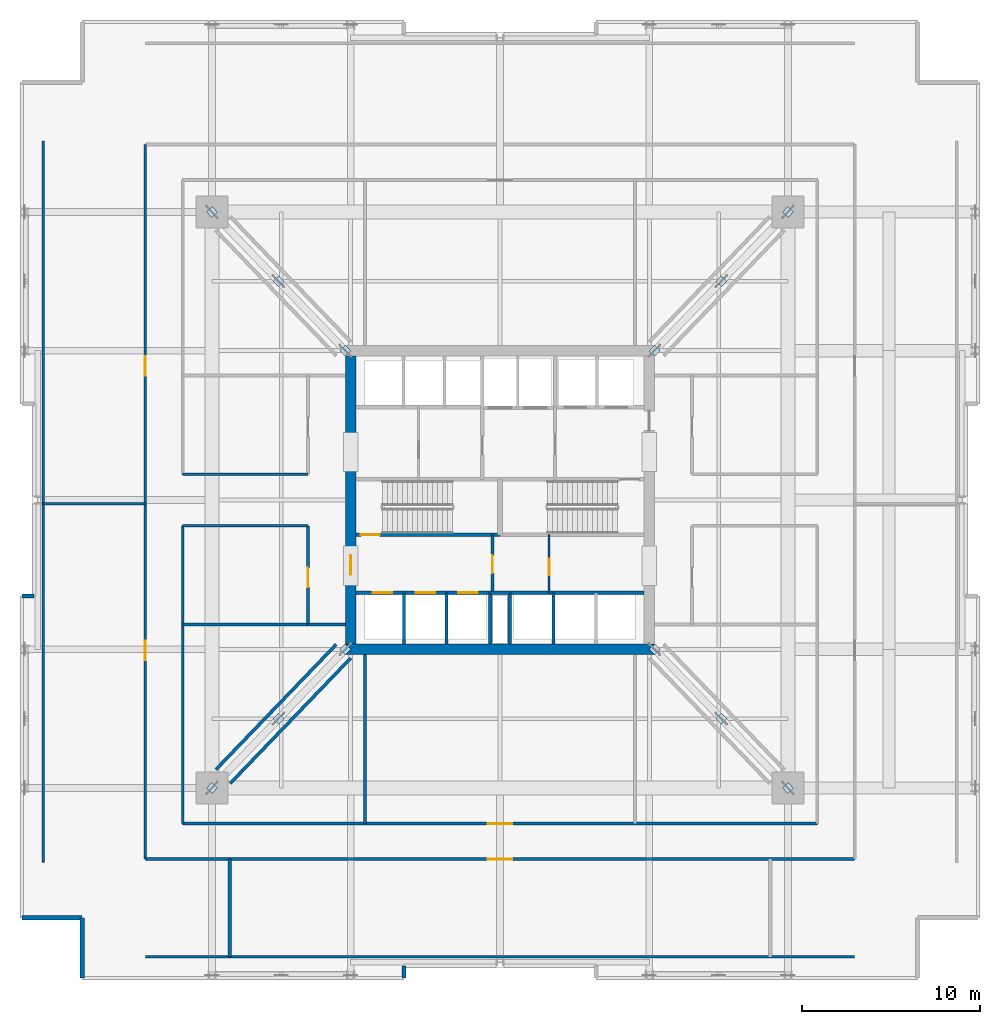
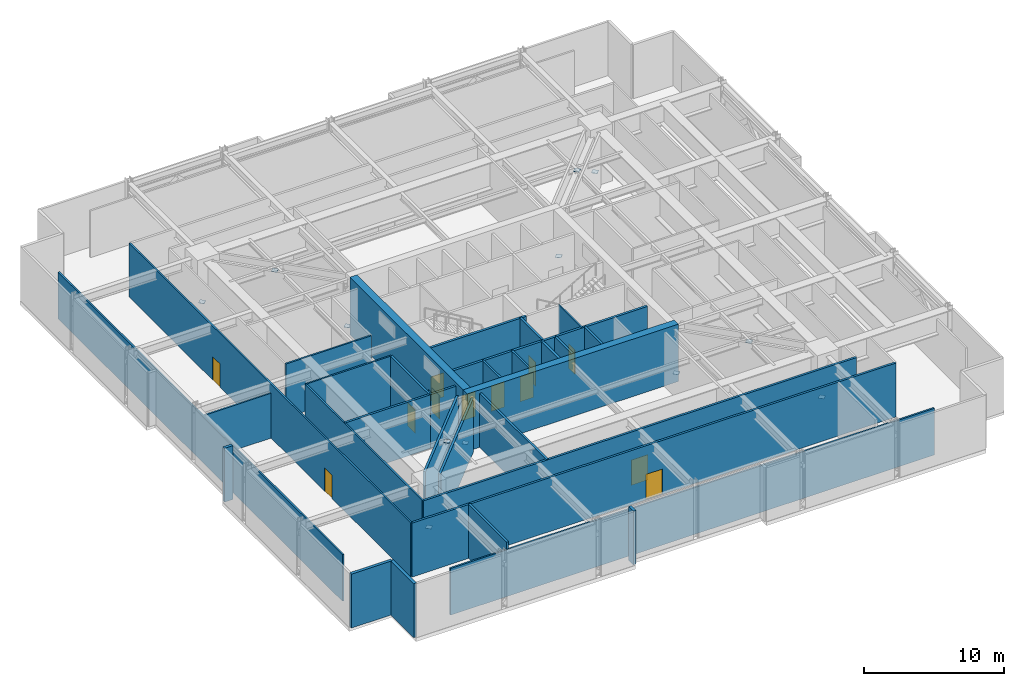
# One storey, part 7 of 13: 33 walls, 12 doors, 12 plates, 12 openings.
"""IFC4 building model written with IfcOpenShell, lengths in metres."""

from ifc_helpers import new_model, si_unit, direction, frame, frame_2d, origin, origin_2d, place, context, subcontext, project, spatial, rectangle, extrude, material, layer, layer_set, type_object, element, fill, save


model = new_model("IFC4")

# Units and contexts
model_context = context("Model", 3, precision=1e-05, world=origin(), true_north=direction((0.0, 1.0)))
body_context = subcontext(model_context, "Body", "Model", "MODEL_VIEW")
ifc_project = project(units=[si_unit("LENGTHUNIT", "METRE"), si_unit("AREAUNIT", "SQUARE_METRE"), si_unit("VOLUMEUNIT", "CUBIC_METRE"), si_unit("PLANEANGLEUNIT", "RADIAN"), si_unit("MASSUNIT", "GRAM", prefix="KILO")], contexts=[model_context])

# Site, building, storey
site_placement = place(None, origin())
site = spatial("IfcSite", under=ifc_project, at=site_placement, CompositionType="ELEMENT")
building_placement = place(site_placement, origin())
building = spatial("IfcBuilding", under=site, at=building_placement, Name="Drelvath Grand Hotel", CompositionType="ELEMENT")
storey_placement = place(building_placement, frame((0.0, 0.0, 82.199951171875)))
storey = spatial("IfcBuildingStorey", under=building, at=storey_placement, Name="L20", CompositionType="ELEMENT", Elevation=82.199951171875)

# Plates
ifc_material_1 = material(Name="Steel ASTM A572 Gr 50", Category="steel")
ifc_layer_1 = layer(ifc_material_1, 0.02490234375)
ifc_layer_set_1 = layer_set([ifc_layer_1], Name="Steel ASTM A572 Gr 50")
plate_type = type_object("IfcPlateType", Name="Hollow Section End Cap Plate 25mm", PredefinedType="SHEET", material=ifc_layer_set_1)
for number, where, z_axis, x_axis, name in (
    (1, (-8.699951171875, 18.60009765625, 0.5576171875), (0.0, 0.0, 1.0), (-0.693108716253, -0.720833064901, 0.0), "L20 Outrigger Hollow End Cap SW-1"),
    (2, (-12.449951171875, 14.699951171875, 4.357666015625), (0.0, 0.0, 1.0), (-0.693108716253, -0.720833064901, 0.0), "L20 Outrigger Hollow End Cap SW-2"),
    (3, (-16.199951171875, 10.800048828125, 0.5576171875), (0.0, 0.0, 1.0), (-0.693108716253, -0.720833064901, 0.0), "L20 Outrigger Hollow End Cap SW-3"),
    (4, (8.699951171875, 18.60009765625, 0.5576171875), (0.0, 0.0, 1.0), (0.693108716253, -0.720833064901, 0.0), "L20 Outrigger Hollow End Cap SE-1"),
    (5, (12.449951171875, 14.699951171875, 4.357666015625), (0.0, 0.0, 1.0), (0.693108716253, -0.720833064901, 0.0), "L20 Outrigger Hollow End Cap SE-2"),
    (6, (16.199951171875, 10.800048828125, 0.5576171875), (0.0, 0.0, 1.0), (0.693108716253, -0.720833064901, 0.0), "L20 Outrigger Hollow End Cap SE-3"),
    (7, (-8.699951171875, 35.39990234375, 0.5576171875), (0.0, 0.0, 1.0), (-0.693108716253, 0.720833064901, 0.0), "L20 Outrigger Hollow End Cap NW-1"),
    (8, (-12.449951171875, 39.300048828125, 4.357666015625), (0.0, 0.0, 1.0), (-0.693108716253, 0.720833064901, 0.0), "L20 Outrigger Hollow End Cap NW-2"),
    (9, (-16.199951171875, 43.199951171875, 0.5576171875), (0.0, 0.0, 1.0), (-0.693108716253, 0.720833064901, 0.0), "L20 Outrigger Hollow End Cap NW-3"),
    (10, (8.699951171875, 35.39990234375, 0.5576171875), (0.0, 0.0, 1.0), (0.693108716253, 0.720833064901, 0.0), "L20 Outrigger Hollow End Cap NE-1"),
    (11, (12.449951171875, 39.300048828125, 4.357666015625), (0.0, 0.0, 1.0), (0.693108716253, 0.720833064901, 0.0), "L20 Outrigger Hollow End Cap NE-2"),
    (12, (16.199951171875, 43.199951171875, 0.5576171875), (0.0, 0.0, 1.0), (0.693108716253, 0.720833064901, 0.0), "L20 Outrigger Hollow End Cap NE-3"),
):
    element("IfcPlate", number, at=place(storey_placement, frame(where, z_axis=z_axis, x_axis=x_axis)), inside=storey, type_object=plate_type, Name=name, PredefinedType="SHEET", context=body_context, shape_type="SweptSolid", body=[
        extrude(rectangle(XDim=0.43994140625, YDim=0.43994140625, at=origin_2d()), origin(), (0.0, 0.0, 1.0), 0.02490234375),
    ])

# Wall, opening, door
ifc_material_2 = material(Name="Gypsum Partition Board")
ifc_layer_2 = layer(ifc_material_2, 0.10009765625)
ifc_layer_set_2 = layer_set([ifc_layer_2], Name="Gypsum Partition Board")
wall_type_1 = type_object("IfcWallType", Name="Core Closet Partition 100", PredefinedType="PARTITIONING", material=ifc_layer_set_2)
wall_1_placement = place(storey_placement, frame((2.760009765625, 21.780029296875, 0.0), z_axis=(0.0, 0.0, 1.0), x_axis=(0.0, 1.0, 0.0)))
wall_1 = element("IfcWall", 13, at=wall_1_placement, inside=storey, type_object=wall_type_1, Name="L20 Butler Pantry Wall", PredefinedType="PARTITIONING", context=body_context, shape_type="SweptSolid", body=[
    extrude(rectangle(XDim=3.260009765625, YDim=0.10009765625, at=frame_2d((1.6298828125, 0.0))), origin(), (0.0, 0.0, 1.0), 4.699951171875),
])
opening_1_placement = place(wall_1_placement, frame((1.0, 0.0, 0.0)))
opening_1 = element("IfcOpeningElement", 14, at=opening_1_placement, cuts=wall_1, Name="Opening D-L20-016", PredefinedType="OPENING", context=body_context, shape_type="SweptSolid", body=[
    extrude(rectangle(XDim=0.919921875, YDim=2.10009765625, at=frame_2d((0.4599609375, 1.050048828125))), frame((0.0, 0.06005859375, 0.0), z_axis=(0.0, -1.0, 0.0), x_axis=(1.0, 0.0, 0.0)), (0.0, 0.0, 1.0), 0.1201171875),
])
ifc_material_3 = material(Name="Painted Steel S275", Category="steel")
door_type_1 = type_object("IfcDoorType", Name="Staff Utility Door 920x2100", OperationType="NOTDEFINED", PredefinedType="DOOR", material=ifc_material_3)
door_1_placement = place(opening_1_placement, origin())
door_1 = element("IfcDoor", 15, at=door_1_placement, inside=storey, type_object=door_type_1, Name="L20 Butler Pantry Door", OperationType="SINGLE_SWING_LEFT", OverallHeight=2.10009765625, OverallWidth=0.919921875, PredefinedType="DOOR", context=body_context, shape_type="SweptSolid", body=[
    extrude(rectangle(XDim=0.919921875, YDim=2.10009765625, at=frame_2d((0.4599609375, 1.050048828125))), frame((0.0, 0.02490234375, 0.0), z_axis=(0.0, -1.0, 0.0), x_axis=(1.0, 0.0, 0.0)), (0.0, 0.0, 1.0), 0.050048828125),
])
fill(opening_1, door_1)

# Wall, openings, doors
ifc_material_4 = material(Name="Concrete C40/50", Category="concrete")
ifc_layer_3 = layer(ifc_material_4, 0.199951171875)
ifc_layer_set_3 = layer_set([ifc_layer_3], Name="Concrete C40/50")
wall_type_2 = type_object("IfcWallType", Name="Core Hoistway Fire Wall 200", PredefinedType="SOLIDWALL", material=ifc_layer_set_3)
wall_2_placement = place(storey_placement, frame((-0.550048828125, 21.780029296875, 0.0), z_axis=(0.0, 0.0, 1.0), x_axis=(-1.0, 0.0, 0.0)))
wall_2 = element("IfcWall", 16, at=wall_2_placement, inside=storey, type_object=wall_type_2, Name="L20 Bank 1 Hoistway Wall", PredefinedType="SOLIDWALL", context=body_context, shape_type="SweptSolid", body=[
    extrude(rectangle(XDim=7.550048828125, YDim=0.199951171875, at=frame_2d((3.77490234375, 0.0))), origin(), (0.0, 0.0, 1.0), 4.699951171875),
])
opening_2_placement = place(wall_2_placement, frame((5.5, 0.0, 0.0)))
opening_2 = element("IfcOpeningElement", 17, at=opening_2_placement, cuts=wall_2, Name="Opening LD-PE-1", PredefinedType="OPENING", context=body_context, shape_type="SweptSolid", body=[
    extrude(rectangle(XDim=1.10009765625, YDim=2.199951171875, at=frame_2d((0.550048828125, 1.10009765625))), frame((0.0, 0.10986328125, 0.0), z_axis=(0.0, -1.0, 0.0), x_axis=(1.0, 0.0, 0.0)), (0.0, 0.0, 1.0), 0.219970703125),
])
opening_3_placement = place(wall_2_placement, frame((3.10009765625, 0.0, 0.0)))
opening_3 = element("IfcOpeningElement", 18, at=opening_3_placement, cuts=wall_2, Name="Opening LD-PE-2", PredefinedType="OPENING", context=body_context, shape_type="SweptSolid", body=[
    extrude(rectangle(XDim=1.10009765625, YDim=2.199951171875, at=frame_2d((0.550048828125, 1.10009765625))), frame((0.0, 0.10986328125, 0.0), z_axis=(0.0, -1.0, 0.0), x_axis=(1.0, 0.0, 0.0)), (0.0, 0.0, 1.0), 0.219970703125),
])
opening_4_placement = place(wall_2_placement, frame((0.699951171875, 0.0, 0.0)))
opening_4 = element("IfcOpeningElement", 19, at=opening_4_placement, cuts=wall_2, Name="Opening LD-PE-3", PredefinedType="OPENING", context=body_context, shape_type="SweptSolid", body=[
    extrude(rectangle(XDim=1.10009765625, YDim=2.199951171875, at=frame_2d((0.550048828125, 1.10009765625))), frame((0.0, 0.10986328125, 0.0), z_axis=(0.0, -1.0, 0.0), x_axis=(1.0, 0.0, 0.0)), (0.0, 0.0, 1.0), 0.219970703125),
])
ifc_material_5 = material(Name="Stainless Steel S355", Category="steel")
door_type_2 = type_object("IfcDoorType", Name="Passenger Lift Sliding Landing Door 1100x2200", OperationType="NOTDEFINED", PredefinedType="DOOR", material=ifc_material_5)
door_2_placement = place(opening_2_placement, origin())
door_2 = element("IfcDoor", 20, at=door_2_placement, inside=storey, type_object=door_type_2, Name="L20 Lift PE-1 Landing Door", OperationType="SLIDING_TO_LEFT", OverallHeight=2.199951171875, OverallWidth=1.10009765625, PredefinedType="DOOR", context=body_context, shape_type="SweptSolid", body=[
    extrude(rectangle(XDim=1.10009765625, YDim=2.199951171875, at=frame_2d((0.550048828125, 1.10009765625))), frame((0.0, 0.02490234375, 0.0), z_axis=(0.0, -1.0, 0.0), x_axis=(1.0, 0.0, 0.0)), (0.0, 0.0, 1.0), 0.050048828125),
])
fill(opening_2, door_2)
door_3_placement = place(opening_3_placement, origin())
door_3 = element("IfcDoor", 21, at=door_3_placement, inside=storey, type_object=door_type_2, Name="L20 Lift PE-2 Landing Door", OperationType="SLIDING_TO_LEFT", OverallHeight=2.199951171875, OverallWidth=1.10009765625, PredefinedType="DOOR", context=body_context, shape_type="SweptSolid", body=[
    extrude(rectangle(XDim=1.10009765625, YDim=2.199951171875, at=frame_2d((0.550048828125, 1.10009765625))), frame((0.0, 0.02490234375, 0.0), z_axis=(0.0, -1.0, 0.0), x_axis=(1.0, 0.0, 0.0)), (0.0, 0.0, 1.0), 0.050048828125),
])
fill(opening_3, door_3)
door_4_placement = place(opening_4_placement, origin())
door_4 = element("IfcDoor", 22, at=door_4_placement, inside=storey, type_object=door_type_2, Name="L20 Lift PE-3 Landing Door", OperationType="SLIDING_TO_LEFT", OverallHeight=2.199951171875, OverallWidth=1.10009765625, PredefinedType="DOOR", context=body_context, shape_type="SweptSolid", body=[
    extrude(rectangle(XDim=1.10009765625, YDim=2.199951171875, at=frame_2d((0.550048828125, 1.10009765625))), frame((0.0, 0.02490234375, 0.0), z_axis=(0.0, -1.0, 0.0), x_axis=(1.0, 0.0, 0.0)), (0.0, 0.0, 1.0), 0.050048828125),
])
fill(opening_4, door_4)

# Walls
wall_3_placement = place(storey_placement, frame((-0.550048828125, 18.89990234375, 0.0), z_axis=(0.0, 0.0, 1.0), x_axis=(0.0, 1.0, 0.0)))
element("IfcWall", 23, at=wall_3_placement, inside=storey, type_object=wall_type_2, Name="L20 Bank 1 East Wall", PredefinedType="SOLIDWALL", context=body_context, shape_type="SweptSolid", body=[
    extrude(rectangle(XDim=2.880126953125, YDim=0.199951171875, at=frame_2d((1.43994140625, 0.0))), origin(), (0.0, 0.0, 1.0), 4.699951171875),
])
wall_4_placement = place(storey_placement, frame((8.10009765625, 21.780029296875, 0.0), z_axis=(0.0, 0.0, 1.0), x_axis=(-1.0, 0.0, 0.0)))
element("IfcWall", 24, at=wall_4_placement, inside=storey, type_object=wall_type_2, Name="L20 Bank 2 Hoistway Wall", PredefinedType="SOLIDWALL", context=body_context, shape_type="SweptSolid", body=[
    extrude(rectangle(XDim=7.550048828125, YDim=0.199951171875, at=frame_2d((3.77490234375, 0.0))), origin(), (0.0, 0.0, 1.0), 4.699951171875),
])
wall_5_placement = place(storey_placement, frame((0.550048828125, 18.89990234375, 0.0), z_axis=(0.0, 0.0, 1.0), x_axis=(0.0, 1.0, 0.0)))
element("IfcWall", 25, at=wall_5_placement, inside=storey, type_object=wall_type_2, Name="L20 Bank 2 West Wall", PredefinedType="SOLIDWALL", context=body_context, shape_type="SweptSolid", body=[
    extrude(rectangle(XDim=2.880126953125, YDim=0.199951171875, at=frame_2d((1.43994140625, 0.0))), origin(), (0.0, 0.0, 1.0), 4.699951171875),
])
wall_6_placement = place(storey_placement, frame((-0.550048828125, 21.780029296875, 0.0), z_axis=(0.0, 0.0, 1.0), x_axis=(1.0, 0.0, 0.0)))
element("IfcWall", 26, at=wall_6_placement, inside=storey, type_object=wall_type_2, Name="L20 Core Riser Wall", PredefinedType="SOLIDWALL", context=body_context, shape_type="SweptSolid", body=[
    extrude(rectangle(XDim=1.10009765625, YDim=0.199951171875, at=frame_2d((0.550048828125, 0.0))), origin(), (0.0, 0.0, 1.0), 4.699951171875),
])

# Wall, opening, door
ifc_layer_4 = layer(ifc_material_4, 0.199951171875)
ifc_layer_set_4 = layer_set([ifc_layer_4], Name="Concrete C40/50")
wall_type_3 = type_object("IfcWallType", Name="Core Shaft Fire Wall 200", PredefinedType="SOLIDWALL", material=ifc_layer_set_4)
wall_7_placement = place(storey_placement, frame((-8.10009765625, 25.0400390625, 0.0), z_axis=(0.0, 0.0, 1.0), x_axis=(1.0, 0.0, 0.0)))
wall_7 = element("IfcWall", 27, at=wall_7_placement, inside=storey, type_object=wall_type_3, Name="L20 Stair ST-1 South Wall", PredefinedType="SOLIDWALL", context=body_context, shape_type="SweptSolid", body=[
    extrude(rectangle(XDim=8.10009765625, YDim=0.199951171875, at=frame_2d((4.050048828125, 0.0))), origin(), (0.0, 0.0, 1.0), 4.699951171875),
])
opening_5_placement = place(wall_7_placement, frame((0.280029296875, 0.0, 0.0)))
opening_5 = element("IfcOpeningElement", 28, at=opening_5_placement, cuts=wall_7, Name="Opening D-L20-001", PredefinedType="OPENING", context=body_context, shape_type="SweptSolid", body=[
    extrude(rectangle(XDim=1.050048828125, YDim=2.10009765625, at=frame_2d((0.52490234375, 1.050048828125))), frame((0.0, 0.10986328125, 0.0), z_axis=(0.0, -1.0, 0.0), x_axis=(1.0, 0.0, 0.0)), (0.0, 0.0, 1.0), 0.219970703125),
])
door_type_3 = type_object("IfcDoorType", Name="Tower Stairwell Fire Door 1050x2100", OperationType="NOTDEFINED", PredefinedType="DOOR", material=ifc_material_3)
door_5_placement = place(opening_5_placement, origin())
door_5 = element("IfcDoor", 29, at=door_5_placement, inside=storey, type_object=door_type_3, Name="L20 Exit Stair ST-1 Door", OperationType="SINGLE_SWING_LEFT", OverallHeight=2.10009765625, OverallWidth=1.050048828125, PredefinedType="DOOR", context=body_context, shape_type="SweptSolid", body=[
    extrude(rectangle(XDim=1.050048828125, YDim=2.10009765625, at=frame_2d((0.52490234375, 1.050048828125))), frame((0.0, 0.02490234375, 0.0), z_axis=(0.0, -1.0, 0.0), x_axis=(1.0, 0.0, 0.0)), (0.0, 0.0, 1.0), 0.050048828125),
])
fill(opening_5, door_5)

# Walls
ifc_material_6 = material(Name="Gypsum Fireboard Partition")
ifc_layer_5 = layer(ifc_material_6, 0.1650390625)
ifc_layer_set_5 = layer_set([ifc_layer_5], Name="Gypsum Fireboard Partition")
wall_type_4 = type_object("IfcWallType", Name="Core Shaft Partition 165", PredefinedType="PARTITIONING", material=ifc_layer_set_5)
for number, where, z_axis, x_axis, name in (
    (30, (-5.39990234375, 18.89990234375, 0.0), (0.0, 0.0, 1.0), (0.0, 1.0, 0.0), "L20 Lift PE-1/2 Divider"),
    (31, (-3.0, 18.89990234375, 0.0), (0.0, 0.0, 1.0), (0.0, 1.0, 0.0), "L20 Lift PE-2/3 Divider"),
    (32, (3.0, 18.89990234375, 0.0), (0.0, 0.0, 1.0), (0.0, 1.0, 0.0), "L20 Lift PE-4/5 Divider"),
):
    element("IfcWall", number, at=place(storey_placement, frame(where, z_axis=z_axis, x_axis=x_axis)), inside=storey, type_object=wall_type_4, Name=name, PredefinedType="PARTITIONING", context=body_context, shape_type="SweptSolid", body=[
        extrude(rectangle(XDim=2.880126953125, YDim=0.1650390625, at=frame_2d((1.43994140625, 0.0))), origin(), (0.0, 0.0, 1.0), 4.699951171875),
    ])
ifc_layer_6 = layer(ifc_material_6, 0.135009765625)
ifc_layer_set_6 = layer_set([ifc_layer_6], Name="Gypsum Fireboard Partition")
wall_type_5 = type_object("IfcWallType", Name="Corridor Fire Barrier Wall 135", PredefinedType="PARTITIONING", material=ifc_layer_set_6)
wall_8_placement = place(storey_placement, frame((-25.699951171875, 6.60009765625, 0.0), z_axis=(0.0, 0.0, 1.0), x_axis=(0.0, 1.0, 0.0)))
element("IfcWall", 33, at=wall_8_placement, inside=storey, type_object=wall_type_5, Name="L20 West Belt Plenum Wall", PredefinedType="PARTITIONING", context=body_context, shape_type="SweptSolid", body=[
    extrude(rectangle(XDim=40.599853515625, YDim=0.135009765625, at=frame_2d((20.2998046875, 0.0))), origin(), (0.0, 0.0, 1.0), 4.073974609375),
])
wall_9_placement = place(storey_placement, frame((-19.949951171875, 1.300048828125, 0.0), z_axis=(0.0, 0.0, 1.0), x_axis=(1.0, 0.0, 0.0)))
element("IfcWall", 34, at=wall_9_placement, inside=storey, type_object=wall_type_5, Name="L20 South Belt Plenum Wall", PredefinedType="PARTITIONING", context=body_context, shape_type="SweptSolid", body=[
    extrude(rectangle(XDim=39.89990234375, YDim=0.135009765625, at=frame_2d((19.949951171875, 0.0))), origin(), (0.0, 0.0, 1.0), 4.073974609375),
])
for number, where, z_axis, x_axis, name in (
    (35, (-17.85009765625, 25.550048828125, 0.0), (0.0, 0.0, 1.0), (1.0, 0.0, 0.0), "L20 West Cross-Arm South Wall"),
    (36, (-17.85009765625, 28.449951171875, 0.0), (0.0, 0.0, 1.0), (1.0, 0.0, 0.0), "L20 West Cross-Arm North Wall"),
):
    element("IfcWall", number, at=place(storey_placement, frame(where, z_axis=z_axis, x_axis=x_axis)), inside=storey, type_object=wall_type_5, Name=name, PredefinedType="PARTITIONING", context=body_context, shape_type="SweptSolid", body=[
        extrude(rectangle(XDim=7.050048828125, YDim=0.135009765625, at=frame_2d((3.52490234375, 0.0))), origin(), (0.0, 0.0, 1.0), 4.699951171875),
    ])

# Wall, openings, doors
wall_10_placement = place(storey_placement, frame((-19.949951171875, 6.800048828125, 0.0), z_axis=(0.0, 0.0, 1.0), x_axis=(0.0, 1.0, 0.0)))
wall_10 = element("IfcWall", 37, at=wall_10_placement, inside=storey, type_object=wall_type_5, Name="L20 West Outer Leg Outer Wall", PredefinedType="PARTITIONING", context=body_context, shape_type="SweptSolid", body=[
    extrude(rectangle(XDim=40.199951171875, YDim=0.135009765625, at=frame_2d((20.10009765625, 0.0))), origin(), (0.0, 0.0, 1.0), 4.699951171875),
])
opening_6_placement = place(wall_10_placement, frame((11.199951171875, 0.0, 0.0)))
opening_6 = element("IfcOpeningElement", 38, at=opening_6_placement, cuts=wall_10, Name="Opening D-L20-024", PredefinedType="OPENING", context=body_context, shape_type="SweptSolid", body=[
    extrude(rectangle(XDim=1.080078125, YDim=2.0400390625, at=frame_2d((0.5400390625, 1.02001953125))), frame((0.0, 0.077392578125, 0.0), z_axis=(0.0, -1.0, 0.0), x_axis=(1.0, 0.0, 0.0)), (0.0, 0.0, 1.0), 0.155029296875),
])
opening_7_placement = place(wall_10_placement, frame((27.199951171875, 0.0, 0.0)))
opening_7 = element("IfcOpeningElement", 39, at=opening_7_placement, cuts=wall_10, Name="Opening D-L20-025", PredefinedType="OPENING", context=body_context, shape_type="SweptSolid", body=[
    extrude(rectangle(XDim=1.080078125, YDim=2.0400390625, at=frame_2d((0.5400390625, 1.02001953125))), frame((0.0, 0.077392578125, 0.0), z_axis=(0.0, -1.0, 0.0), x_axis=(1.0, 0.0, 0.0)), (0.0, 0.0, 1.0), 0.155029296875),
])
door_type_4 = type_object("IfcDoorType", Name="Core Corridor Fire Door 1080x2100", OperationType="NOTDEFINED", PredefinedType="DOOR", material=ifc_material_3)
door_6_placement = place(opening_6_placement, origin())
door_6 = element("IfcDoor", 40, at=door_6_placement, inside=storey, type_object=door_type_4, Name="L20 Chilled Water Plant Door", OperationType="SINGLE_SWING_LEFT", OverallHeight=2.0400390625, OverallWidth=1.080078125, PredefinedType="DOOR", context=body_context, shape_type="SweptSolid", body=[
    extrude(rectangle(XDim=1.080078125, YDim=2.0400390625, at=frame_2d((0.5400390625, 1.02001953125))), frame((0.0, 0.02490234375, 0.0), z_axis=(0.0, -1.0, 0.0), x_axis=(1.0, 0.0, 0.0)), (0.0, 0.0, 1.0), 0.050048828125),
])
fill(opening_6, door_6)
door_7_placement = place(opening_7_placement, origin())
door_7 = element("IfcDoor", 41, at=door_7_placement, inside=storey, type_object=door_type_4, Name="L20 Heat Exchanger Plant Door", OperationType="SINGLE_SWING_RIGHT", OverallHeight=2.0400390625, OverallWidth=1.080078125, PredefinedType="DOOR", context=body_context, shape_type="SweptSolid", body=[
    extrude(rectangle(XDim=1.080078125, YDim=2.0400390625, at=frame_2d((0.5400390625, 1.02001953125))), frame((0.0, 0.02490234375, 0.0), z_axis=(0.0, -1.0, 0.0), x_axis=(1.0, 0.0, 0.0)), (0.0, 0.0, 1.0), 0.050048828125),
])
fill(opening_7, door_7)

# Walls
wall_11_placement = place(storey_placement, frame((-17.85009765625, 8.800048828125, 0.0), z_axis=(0.0, 0.0, 1.0), x_axis=(0.0, 1.0, 0.0)))
element("IfcWall", 42, at=wall_11_placement, inside=storey, type_object=wall_type_5, Name="L20 West Outer Leg Inner S", PredefinedType="PARTITIONING", context=body_context, shape_type="SweptSolid", body=[
    extrude(rectangle(XDim=16.75, YDim=0.135009765625, at=frame_2d((8.375, 0.0))), origin(), (0.0, 0.0, 1.0), 4.699951171875),
])
wall_12_placement = place(storey_placement, frame((-25.699951171875, 26.800048828125, 0.0), z_axis=(0.0, 0.0, 1.0), x_axis=(1.0, 0.0, 0.0)))
element("IfcWall", 43, at=wall_12_placement, inside=storey, type_object=wall_type_5, Name="L20 Outer West Plant Split", PredefinedType="PARTITIONING", context=body_context, shape_type="SweptSolid", body=[
    extrude(rectangle(XDim=5.75, YDim=0.135009765625, at=frame_2d((2.875, 0.0))), origin(), (0.0, 0.0, 1.0), 3.911865234375),
])

# Wall, opening, door
ifc_layer_7 = layer(ifc_material_6, 0.179931640625)
ifc_layer_set_7 = layer_set([ifc_layer_7], Name="Gypsum Fireboard Partition")
wall_type_6 = type_object("IfcWallType", Name="FSAE Smoke Lobby Fire Wall 180", PredefinedType="SOLIDWALL", material=ifc_layer_set_7)
wall_13_placement = place(storey_placement, frame((-0.419921875, 21.780029296875, 0.0), z_axis=(0.0, 0.0, 1.0), x_axis=(0.0, 1.0, 0.0)))
wall_13 = element("IfcWall", 44, at=wall_13_placement, inside=storey, type_object=wall_type_6, Name="L20 Low-Rise Lobby East Wall", PredefinedType="SOLIDWALL", context=body_context, shape_type="SweptSolid", body=[
    extrude(rectangle(XDim=3.260009765625, YDim=0.179931640625, at=frame_2d((1.6298828125, 0.0))), origin(), (0.0, 0.0, 1.0), 4.699951171875),
])
opening_8_placement = place(wall_13_placement, frame((1.10009765625, 0.0, 0.0)))
opening_8 = element("IfcOpeningElement", 45, at=opening_8_placement, cuts=wall_13, Name="Opening D-L20-014", PredefinedType="OPENING", context=body_context, shape_type="SweptSolid", body=[
    extrude(rectangle(XDim=1.0, YDim=2.10009765625, at=frame_2d((0.5, 1.050048828125))), frame((0.0, 0.099853515625, 0.0), z_axis=(0.0, -1.0, 0.0), x_axis=(1.0, 0.0, 0.0)), (0.0, 0.0, 1.0), 0.199951171875),
])
door_type_5 = type_object("IfcDoorType", Name="Core Service Fire Door 1000x2100", OperationType="NOTDEFINED", PredefinedType="DOOR", material=ifc_material_3)
door_8_placement = place(opening_8_placement, origin())
door_8 = element("IfcDoor", 46, at=door_8_placement, inside=storey, type_object=door_type_5, Name="L20 Housekeeping Entry Door", OperationType="SINGLE_SWING_LEFT", OverallHeight=2.10009765625, OverallWidth=1.0, PredefinedType="DOOR", context=body_context, shape_type="SweptSolid", body=[
    extrude(rectangle(XDim=1.0, YDim=2.10009765625, at=frame_2d((0.5, 1.050048828125))), frame((0.0, 0.02490234375, 0.0), z_axis=(0.0, -1.0, 0.0), x_axis=(1.0, 0.0, 0.0)), (0.0, 0.0, 1.0), 0.050048828125),
])
fill(opening_8, door_8)

# Walls
for number, where, z_axis, x_axis, name in (
    (47, (-9.20751953125, 18.8798828125, 0.0), (0.0, 0.0, 1.0), (-0.693128689913, -0.720813858926, 0.0), "L20 Truss SW Fire Bulkhead A"),
    (48, (-8.400390625, 18.103759765625, 0.0), (0.0, 0.0, 1.0), (-0.693103223405, -0.720838346445, 0.0), "L20 Truss SW Fire Bulkhead B"),
):
    element("IfcWall", number, at=place(storey_placement, frame(where, z_axis=z_axis, x_axis=x_axis)), inside=storey, type_object=wall_type_6, Name=name, PredefinedType="SOLIDWALL", context=body_context, shape_type="SweptSolid", body=[
        extrude(rectangle(XDim=9.770751953125, YDim=0.179931640625, at=frame_2d((4.88525390625, 0.0))), origin(), (0.0, 0.0, 1.0), 4.699951171875),
    ])

# Wall, opening, door
wall_14_placement = place(storey_placement, frame((-10.800048828125, 20.0, 0.0), z_axis=(0.0, 0.0, 1.0), x_axis=(0.0, 1.0, 0.0)))
wall_14 = element("IfcWall", 49, at=wall_14_placement, inside=storey, type_object=wall_type_6, Name="L20 Plant West Foyer Lower Wall", PredefinedType="SOLIDWALL", context=body_context, shape_type="SweptSolid", body=[
    extrude(rectangle(XDim=5.550048828125, YDim=0.179931640625, at=frame_2d((2.77490234375, 0.0))), origin(), (0.0, 0.0, 1.0), 4.699951171875),
])
opening_9_placement = place(wall_14_placement, frame((2.10009765625, 0.0, 0.0)))
opening_9 = element("IfcOpeningElement", 50, at=opening_9_placement, cuts=wall_14, Name="Opening D-L20-020", PredefinedType="OPENING", context=body_context, shape_type="SweptSolid", body=[
    extrude(rectangle(XDim=1.080078125, YDim=2.0400390625, at=frame_2d((0.5400390625, 1.02001953125))), frame((0.0, 0.099853515625, 0.0), z_axis=(0.0, -1.0, 0.0), x_axis=(1.0, 0.0, 0.0)), (0.0, 0.0, 1.0), 0.199951171875),
])
door_9_placement = place(opening_9_placement, origin())
door_9 = element("IfcDoor", 51, at=door_9_placement, inside=storey, type_object=door_type_4, Name="L20 AHU Plant Door", OperationType="SINGLE_SWING_LEFT", OverallHeight=2.0400390625, OverallWidth=1.080078125, PredefinedType="DOOR", context=body_context, shape_type="SweptSolid", body=[
    extrude(rectangle(XDim=1.080078125, YDim=2.0400390625, at=frame_2d((0.5400390625, 1.02001953125))), frame((0.0, 0.02490234375, 0.0), z_axis=(0.0, -1.0, 0.0), x_axis=(1.0, 0.0, 0.0)), (0.0, 0.0, 1.0), 0.050048828125),
])
fill(opening_9, door_9)

# Wall
wall_15_placement = place(storey_placement, frame((-10.800048828125, 20.0, 0.0), z_axis=(0.0, 0.0, 1.0), x_axis=(1.0, 0.0, 0.0)))
element("IfcWall", 52, at=wall_15_placement, inside=storey, type_object=wall_type_6, Name="L20 Plant West Foyer South End", PredefinedType="SOLIDWALL", context=body_context, shape_type="SweptSolid", body=[
    extrude(rectangle(XDim=2.10009765625, YDim=0.179931640625, at=frame_2d((1.050048828125, 0.0))), origin(), (0.0, 0.0, 1.0), 4.699951171875),
])

# Wall, opening, door
wall_16_placement = place(storey_placement, frame((-19.949951171875, 6.800048828125, 0.0), z_axis=(0.0, 0.0, 1.0), x_axis=(1.0, 0.0, 0.0)))
wall_16 = element("IfcWall", 53, at=wall_16_placement, inside=storey, type_object=wall_type_6, Name="L20 South Connector Outer Wall", PredefinedType="SOLIDWALL", context=body_context, shape_type="SweptSolid", body=[
    extrude(rectangle(XDim=39.89990234375, YDim=0.179931640625, at=frame_2d((19.949951171875, 0.0))), origin(), (0.0, 0.0, 1.0), 4.699951171875),
])
opening_10_placement = place(wall_16_placement, frame((19.27001953125, 0.0, 0.0)))
opening_10 = element("IfcOpeningElement", 54, at=opening_10_placement, cuts=wall_16, Name="Opening D-L20-018", PredefinedType="OPENING", context=body_context, shape_type="SweptSolid", body=[
    extrude(rectangle(XDim=1.360107421875, YDim=2.199951171875, at=frame_2d((0.68017578125, 1.10009765625))), frame((0.0, 0.099853515625, 0.0), z_axis=(0.0, -1.0, 0.0), x_axis=(1.0, 0.0, 0.0)), (0.0, 0.0, 1.0), 0.199951171875),
])
door_type_6 = type_object("IfcDoorType", Name="Plant Equipment Double Fire Door 1360x2200", OperationType="NOTDEFINED", PredefinedType="DOOR", material=ifc_material_3)
door_10_placement = place(opening_10_placement, origin())
door_10 = element("IfcDoor", 55, at=door_10_placement, inside=storey, type_object=door_type_6, Name="L20 South Perimeter Refuge Door", OperationType="SINGLE_SWING_LEFT", OverallHeight=2.199951171875, OverallWidth=1.360107421875, PredefinedType="DOOR", context=body_context, shape_type="SweptSolid", body=[
    extrude(rectangle(XDim=1.360107421875, YDim=2.199951171875, at=frame_2d((0.68017578125, 1.10009765625))), frame((0.0, 0.02490234375, 0.0), z_axis=(0.0, -1.0, 0.0), x_axis=(1.0, 0.0, 0.0)), (0.0, 0.0, 1.0), 0.050048828125),
])
fill(opening_10, door_10)

wall_17_placement = place(storey_placement, frame((-17.85009765625, 8.800048828125, 0.0), z_axis=(0.0, 0.0, 1.0), x_axis=(1.0, 0.0, 0.0)))
wall_17 = element("IfcWall", 56, at=wall_17_placement, inside=storey, type_object=wall_type_6, Name="L20 South Connector Inner Wall", PredefinedType="SOLIDWALL", context=body_context, shape_type="SweptSolid", body=[
    extrude(rectangle(XDim=35.7001953125, YDim=0.179931640625, at=frame_2d((17.85009765625, 0.0))), origin(), (0.0, 0.0, 1.0), 4.699951171875),
])
opening_11_placement = place(wall_17_placement, frame((17.169921875, 0.0, 0.0)))
opening_11 = element("IfcOpeningElement", 57, at=opening_11_placement, cuts=wall_17, Name="Opening D-L20-017", PredefinedType="OPENING", context=body_context, shape_type="SweptSolid", body=[
    extrude(rectangle(XDim=1.360107421875, YDim=2.199951171875, at=frame_2d((0.68017578125, 1.10009765625))), frame((0.0, 0.099853515625, 0.0), z_axis=(0.0, -1.0, 0.0), x_axis=(1.0, 0.0, 0.0)), (0.0, 0.0, 1.0), 0.199951171875),
])
door_11_placement = place(opening_11_placement, origin())
door_11 = element("IfcDoor", 58, at=door_11_placement, inside=storey, type_object=door_type_6, Name="L20 South Core Refuge Door", OperationType="SINGLE_SWING_RIGHT", OverallHeight=2.199951171875, OverallWidth=1.360107421875, PredefinedType="DOOR", context=body_context, shape_type="SweptSolid", body=[
    extrude(rectangle(XDim=1.360107421875, YDim=2.199951171875, at=frame_2d((0.68017578125, 1.10009765625))), frame((0.0, 0.02490234375, 0.0), z_axis=(0.0, -1.0, 0.0), x_axis=(1.0, 0.0, 0.0)), (0.0, 0.0, 1.0), 0.050048828125),
])
fill(opening_11, door_11)

# Walls
wall_18_placement = place(storey_placement, frame((-7.60009765625, 8.800048828125, 0.0), z_axis=(0.0, 0.0, 1.0), x_axis=(0.0, 1.0, 0.0)))
element("IfcWall", 59, at=wall_18_placement, inside=storey, type_object=wall_type_6, Name="L20 South Refuge Inner West Wall", PredefinedType="SOLIDWALL", context=body_context, shape_type="SweptSolid", body=[
    extrude(rectangle(XDim=9.5, YDim=0.179931640625, at=frame_2d((4.75, 0.0))), origin(), (0.0, 0.0, 1.0), 4.699951171875),
])
wall_19_placement = place(storey_placement, frame((-15.199951171875, 1.300048828125, 0.0), z_axis=(0.0, 0.0, 1.0), x_axis=(0.0, 1.0, 0.0)))
element("IfcWall", 60, at=wall_19_placement, inside=storey, type_object=wall_type_6, Name="L20 South Apron Refuge West Wall", PredefinedType="SOLIDWALL", context=body_context, shape_type="SweptSolid", body=[
    extrude(rectangle(XDim=5.5, YDim=0.179931640625, at=frame_2d((2.75, 0.0))), origin(), (0.0, 0.0, 1.0), 4.699951171875),
])
wall_20_placement = place(storey_placement, frame((-17.85009765625, 20.0, 0.0), z_axis=(0.0, 0.0, 1.0), x_axis=(1.0, 0.0, 0.0)))
element("IfcWall", 61, at=wall_20_placement, inside=storey, type_object=wall_type_6, Name="L20 West Inner Plant South Wall", PredefinedType="SOLIDWALL", context=body_context, shape_type="SweptSolid", body=[
    extrude(rectangle(XDim=7.050048828125, YDim=0.179931640625, at=frame_2d((3.52490234375, 0.0))), origin(), (0.0, 0.0, 1.0), 4.699951171875),
])
ifc_material_7 = material(Name="Concrete f'c 70 MPa", Category="concrete")
ifc_layer_8 = layer(ifc_material_7, 0.60009765625)
ifc_layer_set_8 = layer_set([ifc_layer_8], Name="Concrete f'c 70 MPa")
wall_type_7 = type_object("IfcWallType", Name="Lower Core RC Shear Wall 600", PredefinedType="SHEAR", material=ifc_layer_set_8)
wall_21_placement = place(storey_placement, frame((8.699951171875, 18.60009765625, 0.0), z_axis=(0.0, 0.0, 1.0), x_axis=(-1.0, 0.0, 0.0)))
element("IfcWall", 62, at=wall_21_placement, inside=storey, type_object=wall_type_7, Name="L20 Central Core Shear Wall S", PredefinedType="SHEAR", context=body_context, shape_type="SweptSolid", body=[
    extrude(rectangle(XDim=17.39990234375, YDim=0.60009765625, at=frame_2d((8.699951171875, 0.0))), origin(), (0.0, 0.0, 1.0), 5.0),
])

# Wall, opening, door
wall_22_placement = place(storey_placement, frame((-8.39990234375, 18.89990234375, 0.0), z_axis=(0.0, 0.0, 1.0), x_axis=(0.0, 1.0, 0.0)))
wall_22 = element("IfcWall", 63, at=wall_22_placement, inside=storey, type_object=wall_type_7, Name="L20 Central Core Shear Wall W", PredefinedType="SHEAR", context=body_context, shape_type="SweptSolid", body=[
    extrude(rectangle(XDim=16.2001953125, YDim=0.60009765625, at=frame_2d((8.10009765625, 0.0))), origin(), (0.0, 0.0, 1.0), 5.0),
])
opening_12_placement = place(wall_22_placement, frame((3.89990234375, 0.0, 0.0)))
opening_12 = element("IfcOpeningElement", 64, at=opening_12_placement, cuts=wall_22, Name="Opening D-L20-015", PredefinedType="OPENING", context=body_context, shape_type="SweptSolid", body=[
    extrude(rectangle(XDim=1.080078125, YDim=2.0400390625, at=frame_2d((0.5400390625, 1.02001953125))), frame((0.0, 0.31005859375, 0.0), z_axis=(0.0, -1.0, 0.0), x_axis=(1.0, 0.0, 0.0)), (0.0, 0.0, 1.0), 0.6201171875),
])
door_12_placement = place(opening_12_placement, origin())
door_12 = element("IfcDoor", 65, at=door_12_placement, inside=storey, type_object=door_type_4, Name="L20 Low-Rise Lobby West Door", OperationType="SINGLE_SWING_RIGHT", OverallHeight=2.0400390625, OverallWidth=1.080078125, PredefinedType="DOOR", context=body_context, shape_type="SweptSolid", body=[
    extrude(rectangle(XDim=1.080078125, YDim=2.0400390625, at=frame_2d((0.5400390625, 1.02001953125))), frame((0.0, 0.02490234375, 0.0), z_axis=(0.0, -1.0, 0.0), x_axis=(1.0, 0.0, 0.0)), (0.0, 0.0, 1.0), 0.050048828125),
])
fill(opening_12, door_12)

# Walls
ifc_material_8 = material(Name="Pale-Metal Insulated Aluminium Spandrel Assembly", Category="aluminium")
ifc_layer_9 = layer(ifc_material_8, 0.239990234375)
ifc_layer_set_9 = layer_set([ifc_layer_9], Name="Pale-Metal Insulated Aluminium Spandrel Assembly")
wall_type_8 = type_object("IfcWallType", Name="Tower Insulated Metal Spandrel Closure Wall 240", PredefinedType="STANDARD", material=ifc_layer_set_9)
for number, where, z_axis, x_axis, name in (
    (66, (-23.5, 0.1201171875, 0.0), (0.0, 0.0, 1.0), (0.0, 1.0, 0.0), "L20 Notched Corner Return Spandrel Wall CSW1"),
    (67, (-23.5, 3.5, 0.0), (0.0, 0.0, 1.0), (-1.0, 0.0, 0.0), "L20 Notched Corner Return Spandrel Wall CSW2"),
):
    element("IfcWall", number, at=place(storey_placement, frame(where, z_axis=z_axis, x_axis=x_axis)), inside=storey, type_object=wall_type_8, Name=name, PredefinedType="STANDARD", context=body_context, shape_type="SweptSolid", body=[
        extrude(rectangle(XDim=3.3798828125, YDim=0.239990234375, at=frame_2d((1.68994140625, 0.0))), origin(), (0.0, 0.0, 1.0), 4.699951171875),
    ])
for number, where, z_axis, x_axis, name in (
    (68, (-26.8798828125, 21.60009765625, 0.0), (0.0, 0.0, 1.0), (1.0, 0.0, 0.0), "L20 Notched Corner Return Spandrel Wall RW1"),
    (69, (-5.39990234375, 0.800048828125, 0.0), (0.0, 0.0, 1.0), (0.0, -1.0, 0.0), "L20 Notched Corner Return Spandrel Wall RS2"),
):
    element("IfcWall", number, at=place(storey_placement, frame(where, z_axis=z_axis, x_axis=x_axis)), inside=storey, type_object=wall_type_8, Name=name, PredefinedType="STANDARD", context=body_context, shape_type="SweptSolid", body=[
        extrude(rectangle(XDim=0.679931640625, YDim=0.239990234375, at=frame_2d((0.33984375, 0.0))), origin(), (0.0, 0.0, 1.0), 4.699951171875),
    ])

save(model, "model.ifc")
